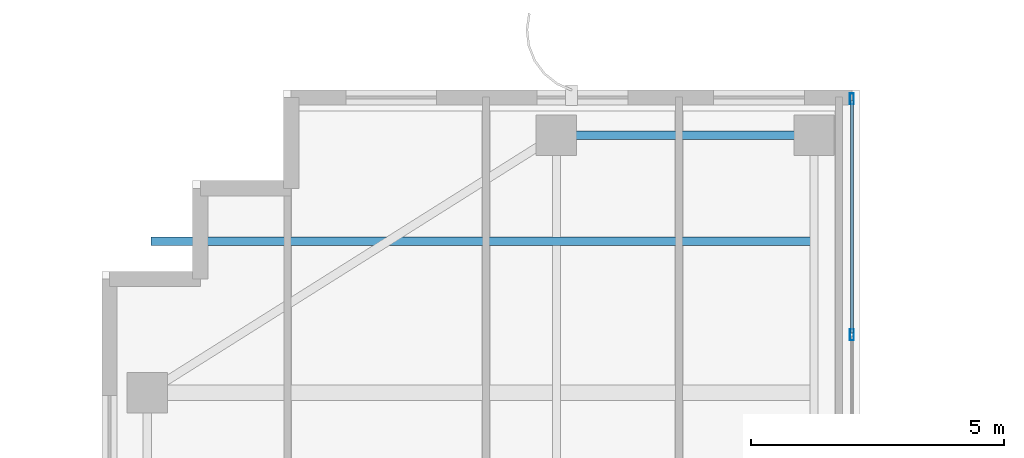
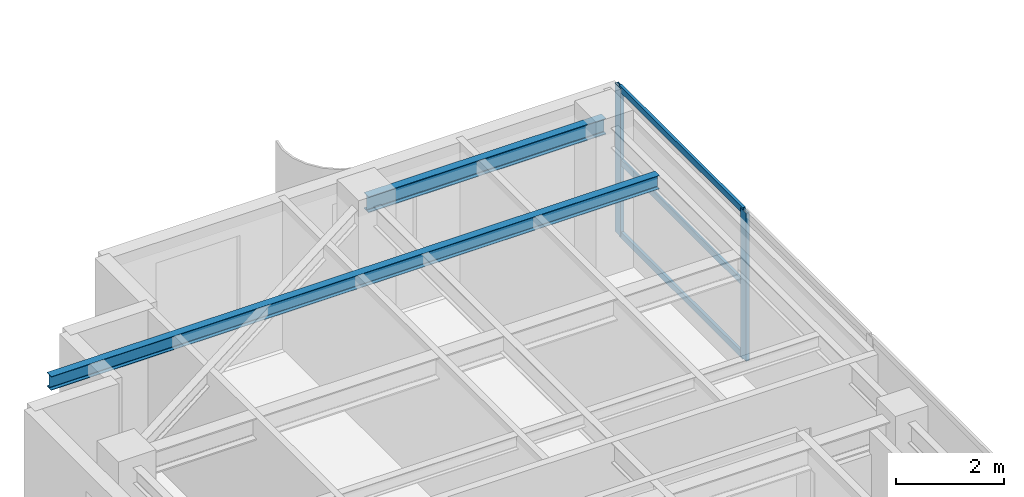
# One storey, part 15 of 24: 5 members, 2 beams, 1 element without a shape of its own.
"""IFC4 building model written with IfcOpenShell, lengths in metres."""

from ifc_helpers import new_model, si_unit, direction, frame, origin, origin_2d, place, context, subcontext, project, spatial, hollow_rectangle, i_section, extrude, source, transform, mapped, material, layer, layer_set, material_profile, profile_set, type_object, element, aggregate, save


model = new_model("IFC4")

# Units and contexts
model_context = context("Model", 3, precision=1e-05, world=origin(), true_north=direction((0.0, 1.0)))
body_context = subcontext(model_context, "Body", "Model", "MODEL_VIEW")
ifc_project = project(units=[si_unit("LENGTHUNIT", "METRE"), si_unit("AREAUNIT", "SQUARE_METRE"), si_unit("VOLUMEUNIT", "CUBIC_METRE"), si_unit("PLANEANGLEUNIT", "RADIAN"), si_unit("MASSUNIT", "GRAM", prefix="KILO")], contexts=[model_context])

# Site, building, storey
site_placement = place(None, origin())
site = spatial("IfcSite", under=ifc_project, at=site_placement, CompositionType="ELEMENT")
building_placement = place(site_placement, origin())
building = spatial("IfcBuilding", under=site, at=building_placement, Name="Khoralis Quay Care Tower", CompositionType="ELEMENT")
storey_placement = place(building_placement, frame((0.0, 0.0, 231.300048828125)))
storey = spatial("IfcBuildingStorey", under=building, at=storey_placement, Name="L60", CompositionType="ELEMENT", Elevation=231.300048828125)

# Beams
ifc_material_1 = material(Name="Steel S355", Category="steel")
ifc_material_profile_1 = material_profile(ifc_material_1, i_section(OverallWidth=0.169921875, OverallDepth=0.360107421875, WebThickness=0.008056640625, FlangeThickness=0.0126953125, FilletRadius=0.01806640625, at=origin_2d()), Name="Steel S355")
ifc_profile_set_1 = profile_set([ifc_material_profile_1], Name="Steel S355")
beam_type_1 = type_object("IfcBeamType", Name="BM-IPE360", PredefinedType="SPANDREL", material=ifc_profile_set_1)
shared_shape_1 = source(origin(), body_context, "Body", "SweptSolid", [
    extrude(i_section(OverallWidth=0.169921875, OverallDepth=0.360107421875, WebThickness=0.008056640625, FlangeThickness=0.0126953125, FilletRadius=0.01806640625, at=origin_2d()), origin(), (0.0, 0.0, 1.0), 5.10009765625),
])
beam_1_placement = place(storey_placement, frame((12.0, 41.10009765625, 3.179931640625), z_axis=(1.0, 0.0, 0.0), x_axis=(0.0, 1.0, 0.0)))
element("IfcBeam", 1, at=beam_1_placement, inside=storey, type_object=beam_type_1, Name="BM-TSP-L60-03", PredefinedType="SPANDREL", context=body_context, shape_type="MappedRepresentation", body=[
    mapped(shared_shape_1, transform((0.0, 0.0, 0.0), scale=1.0)),
])
ifc_material_profile_2 = material_profile(ifc_material_1, i_section(OverallWidth=0.1650390625, OverallDepth=0.31005859375, WebThickness=0.005859375, FlangeThickness=0.009765625, FilletRadius=0.011962890625, at=origin_2d()), Name="Steel S355")
ifc_profile_set_2 = profile_set([ifc_material_profile_2], Name="Steel S355")
beam_type_2 = type_object("IfcBeamType", Name="BM-W310X39", PredefinedType="JOIST", material=ifc_profile_set_2)
shared_shape_2 = source(origin(), body_context, "Body", "SweptSolid", [
    extrude(i_section(OverallWidth=0.1650390625, OverallDepth=0.31005859375, WebThickness=0.005859375, FlangeThickness=0.009765625, FilletRadius=0.011962890625, at=origin_2d()), origin(), (0.0, 0.0, 1.0), 13.06396484375),
])
beam_2_placement = place(storey_placement, frame((3.970947265625, 39.0, 3.204833984375), z_axis=(1.0, 0.0, 0.0), x_axis=(0.0, 1.0, 0.0)))
element("IfcBeam", 2, at=beam_2_placement, inside=storey, type_object=beam_type_2, Name="BM-TJS-L60-21", PredefinedType="JOIST", context=body_context, shape_type="MappedRepresentation", body=[
    mapped(shared_shape_2, transform((0.0, 0.0, 0.0), scale=1.0)),
])

# Curtain wall, members
ifc_material_2 = material(Name="Pale anodised aluminium", Category="aluminium")
ifc_layer = layer(ifc_material_2, 0.18994140625)
ifc_layer_set = layer_set([ifc_layer], Name="Pale anodised aluminium")
curtain_wall_type = type_object("IfcCurtainWallType", Name="CW-SYS-PORTAL", PredefinedType="NOTDEFINED", material=ifc_layer_set)
curtain_wall_placement = place(storey_placement, origin())
curtain_wall = element("IfcCurtainWall", 3, at=curtain_wall_placement, inside=storey, type_object=curtain_wall_type, Name="L60 Unitised Curtain Wall CW-VP-L60-P1-N", PredefinedType="NOTDEFINED")
ifc_material_profile_3 = material_profile(ifc_material_2, hollow_rectangle(XDim=0.06005859375, YDim=0.139892578125, WallThickness=0.00390625, at=origin_2d()), Name="Pale anodised aluminium")
ifc_profile_set_3 = profile_set([ifc_material_profile_3], Name="Pale anodised aluminium")
member_type_1 = type_object("IfcMemberType", Name="CW-TRN-140", PredefinedType="USERDEFINED", material=ifc_profile_set_3)
shared_shape_3 = source(origin(), body_context, "Body", "SweptSolid", [
    extrude(hollow_rectangle(XDim=0.06005859375, YDim=0.139892578125, WallThickness=0.00390625, at=origin_2d()), origin(), (0.0, 0.0, 1.0), 4.610107421875),
])
member_1_placement = place(storey_placement, frame((17.85009765625, 37.179931640625, 0.030029296875), z_axis=(0.0, 1.0, 0.0), x_axis=(-1.0, 0.0, 0.0)))
member_1 = element("IfcMember", 4, at=member_1_placement, type_object=member_type_1, Name="CW4 transom 3.1", ObjectType="TRANSOM", PredefinedType="USERDEFINED", context=body_context, shape_type="MappedRepresentation", body=[
    mapped(shared_shape_3, transform((0.0, 0.0, 0.0), scale=1.0)),
])
member_2_placement = place(storey_placement, frame((17.85009765625, 37.179931640625, 1.679931640625), z_axis=(0.0, 1.0, 0.0), x_axis=(-1.0, 0.0, 0.0)))
member_2 = element("IfcMember", 5, at=member_2_placement, type_object=member_type_1, Name="CW4 transom 3.2", ObjectType="TRANSOM", PredefinedType="USERDEFINED", context=body_context, shape_type="MappedRepresentation", body=[
    mapped(shared_shape_3, transform((0.0, 0.0, 0.0), scale=1.0)),
])
member_3_placement = place(storey_placement, frame((17.85009765625, 37.179931640625, 3.329833984375), z_axis=(0.0, 1.0, 0.0), x_axis=(-1.0, 0.0, 0.0)))
member_3 = element("IfcMember", 6, at=member_3_placement, type_object=member_type_1, Name="CW4 transom 3.3", ObjectType="TRANSOM", PredefinedType="USERDEFINED", context=body_context, shape_type="MappedRepresentation", body=[
    mapped(shared_shape_3, transform((0.0, 0.0, 0.0), scale=1.0)),
])
ifc_material_profile_4 = material_profile(ifc_material_2, hollow_rectangle(XDim=0.074951171875, YDim=0.219970703125, WallThickness=0.00390625, at=origin_2d()), Name="Pale anodised aluminium")
ifc_profile_set_4 = profile_set([ifc_material_profile_4], Name="Pale anodised aluminium")
member_type_2 = type_object("IfcMemberType", Name="CW-MUL-220", PredefinedType="MULLION", material=ifc_profile_set_4)
shared_shape_4 = source(origin(), body_context, "Body", "SweptSolid", [
    extrude(hollow_rectangle(XDim=0.074951171875, YDim=0.219970703125, WallThickness=0.00390625, at=origin_2d()), origin(), (0.0, 0.0, 1.0), 3.35986328125),
])
member_4_placement = place(storey_placement, frame((17.85009765625, 37.14990234375, 0.0), z_axis=(0.0, 0.0, 1.0), x_axis=(-1.0, 0.0, 0.0)))
member_4 = element("IfcMember", 7, at=member_4_placement, type_object=member_type_2, Name="CW4 mullion 3", PredefinedType="MULLION", context=body_context, shape_type="MappedRepresentation", body=[
    mapped(shared_shape_4, transform((0.0, 0.0, 0.0), scale=1.0)),
])
member_5_placement = place(storey_placement, frame((17.85009765625, 41.820068359375, 0.0), z_axis=(0.0, 0.0, 1.0), x_axis=(-1.0, 0.0, 0.0)))
member_5 = element("IfcMember", 8, at=member_5_placement, type_object=member_type_2, Name="CW4 mullion 4", PredefinedType="MULLION", context=body_context, shape_type="MappedRepresentation", body=[
    mapped(shared_shape_4, transform((0.0, 0.0, 0.0), scale=1.0)),
])
aggregate(curtain_wall, [member_4, member_5, member_1, member_2, member_3])

save(model, "model.ifc")
